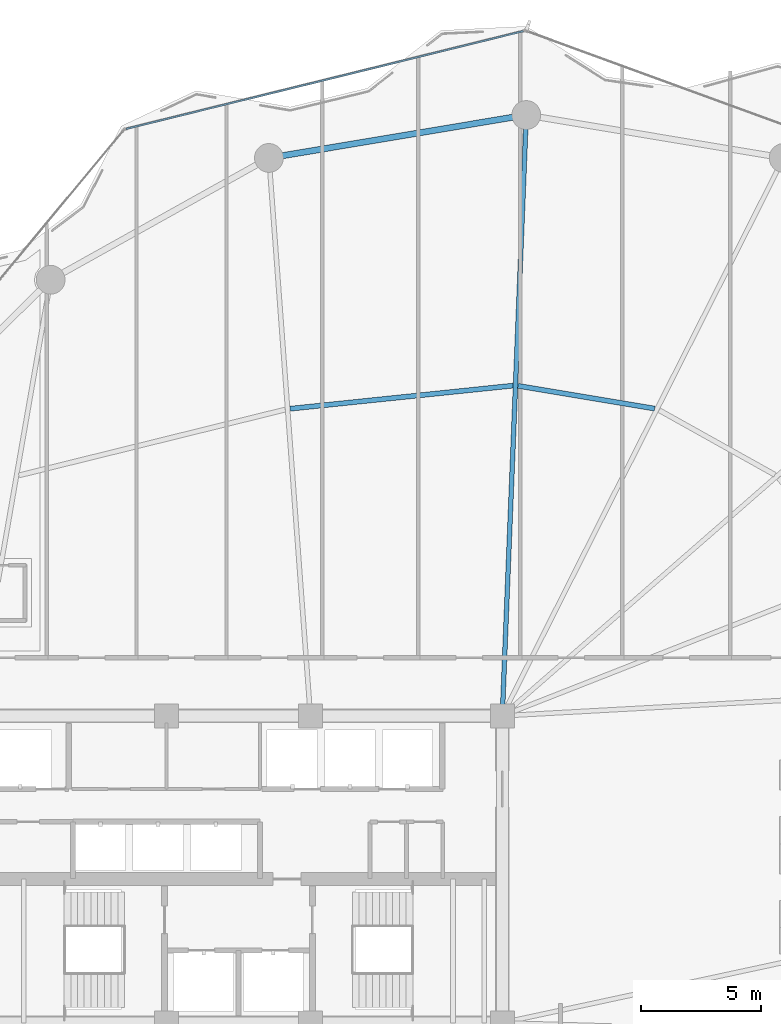
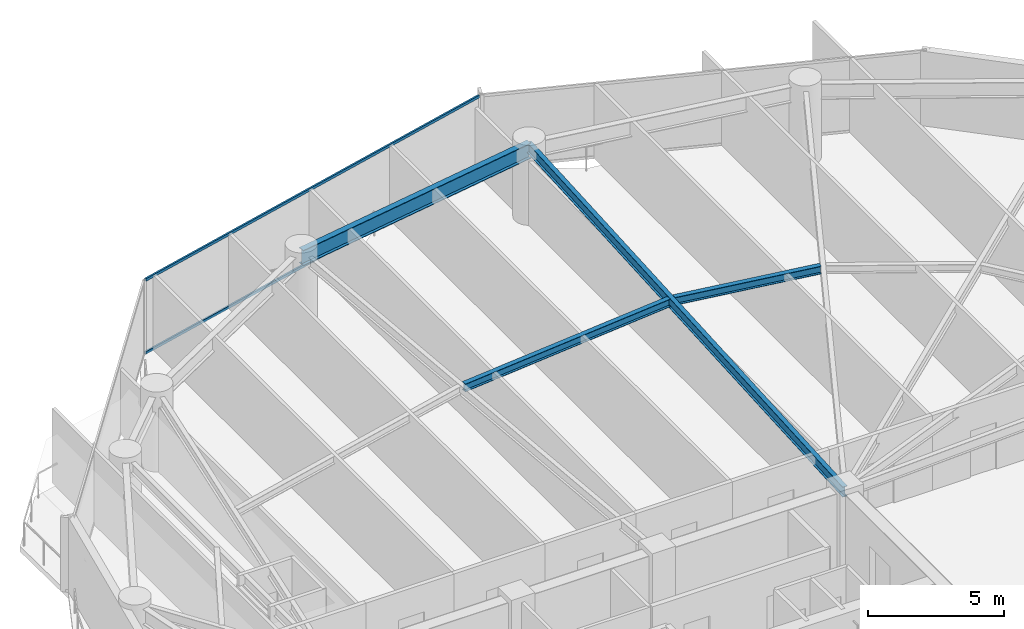
# One storey, part 18 of 28: 4 beams, 2 members, 1 element without a shape of its own.
"""IFC4 building model written with IfcOpenShell, lengths in metres."""

from ifc_helpers import new_model, si_unit, direction, frame, origin, origin_2d, place, context, subcontext, project, spatial, hollow_rectangle, i_section, extrude, material, layer, layer_set, material_profile, profile_set, type_object, element, aggregate, save


model = new_model("IFC4")

# Units and contexts
model_context = context("Model", 3, precision=1e-05, world=origin(), true_north=direction((0.0, 1.0)))
body_context = subcontext(model_context, "Body", "Model", "MODEL_VIEW")
ifc_project = project(units=[si_unit("LENGTHUNIT", "METRE"), si_unit("AREAUNIT", "SQUARE_METRE"), si_unit("VOLUMEUNIT", "CUBIC_METRE"), si_unit("PLANEANGLEUNIT", "RADIAN"), si_unit("MASSUNIT", "GRAM", prefix="KILO")], contexts=[model_context])

# Site, building, storey
site_placement = place(None, origin())
site = spatial("IfcSite", under=ifc_project, at=site_placement, CompositionType="ELEMENT")
building_placement = place(site_placement, origin())
building = spatial("IfcBuilding", under=site, at=building_placement, Name="Kazevale Care Tower and Concert Hall", CompositionType="ELEMENT")
storey_placement = place(building_placement, frame((0.0, 0.0, 120.60009765625)))
storey = spatial("IfcBuildingStorey", under=building, at=storey_placement, Name="L31", CompositionType="ELEMENT", Elevation=120.60009765625)

# Curtain wall, members
ifc_material_1 = material(Name="Aluminium 6063-T6 and Low-E Glass", Category="aluminium")
ifc_layer = layer(ifc_material_1, 0.179931640625)
ifc_layer_set = layer_set([ifc_layer], Name="Aluminium 6063-T6 and Low-E Glass")
curtain_wall_type = type_object("IfcCurtainWallType", Name="Convex Recessed Sunroom Curtain Wall CW-3", PredefinedType="NOTDEFINED", material=ifc_layer_set)
curtain_wall_placement = place(storey_placement, origin())
curtain_wall = element("IfcCurtainWall", 1, at=curtain_wall_placement, inside=storey, type_object=curtain_wall_type, Name="cw:L31:f15", PredefinedType="NOTDEFINED")
ifc_material_2 = material(Name="Aluminium 6063-T6", Category="aluminium")
ifc_material_profile_1 = material_profile(ifc_material_2, hollow_rectangle(XDim=0.074951171875, YDim=0.1201171875, WallThickness=0.00390625, at=origin_2d()), Name="ALU75x120x4")
ifc_profile_set_1 = profile_set([ifc_material_profile_1], Name="Aluminium 6063-T6")
member_type = type_object("IfcMemberType", Name="CW-3 Transom ALU75x120x4", PredefinedType="USERDEFINED", material=ifc_profile_set_1)
member_1_placement = place(storey_placement, frame((28.312744140625, 60.869873046875, 0.037353515625), z_axis=(0.970998321945, 0.239086299857, 0.0), x_axis=(-0.239086299857, 0.970998321945, 0.0)))
member_1 = element("IfcMember", 2, at=member_1_placement, type_object=member_type, Name="CW-3 transom 1.1", ObjectType="TRANSOM", PredefinedType="USERDEFINED", context=body_context, shape_type="SweptSolid", body=[
    extrude(hollow_rectangle(XDim=0.074951171875, YDim=0.1201171875, WallThickness=0.00390625, at=origin_2d()), origin(), (0.0, 0.0, 1.0), 17.061279296875),
])
member_2_placement = place(storey_placement, frame((28.312744140625, 60.869873046875, 3.322509765625), z_axis=(0.970998321945, 0.239086299857, 0.0), x_axis=(-0.239086299857, 0.970998321945, 0.0)))
member_2 = element("IfcMember", 3, at=member_2_placement, type_object=member_type, Name="CW-3 transom 1.2", ObjectType="TRANSOM", PredefinedType="USERDEFINED", context=body_context, shape_type="SweptSolid", body=[
    extrude(hollow_rectangle(XDim=0.074951171875, YDim=0.1201171875, WallThickness=0.00390625, at=origin_2d()), origin(), (0.0, 0.0, 1.0), 17.061279296875),
])
aggregate(curtain_wall, [member_1, member_2])

# Beams
ifc_material_3 = material(Name="Steel ASTM A572 Gr 50", Category="steel")
ifc_material_profile_2 = material_profile(ifc_material_3, i_section(OverallWidth=0.19091796875, OverallDepth=0.4599609375, WebThickness=0.010009765625, FlangeThickness=0.01611328125, at=origin_2d()), Name="W460x82")
ifc_profile_set_2 = profile_set([ifc_material_profile_2], Name="Steel ASTM A572 Gr 50")
beam_type_1 = type_object("IfcBeamType", Name="Radial Floor Beam W460x82", PredefinedType="BEAM", material=ifc_profile_set_2)
beam_1_placement = place(storey_placement, frame((44.0, 36.39990234375, 3.1298828125), z_axis=(0.039888311255, 0.99920414462, 0.0), x_axis=(-0.99920414462, 0.039888311255, 0.0)))
element("IfcBeam", 4, at=beam_1_placement, inside=storey, type_object=beam_type_1, Name="beam:L31:rad:05", PredefinedType="BEAM", context=body_context, shape_type="SweptSolid", body=[
    extrude(i_section(OverallWidth=0.19091796875, OverallDepth=0.4599609375, WebThickness=0.010009765625, FlangeThickness=0.01611328125, at=origin_2d()), origin(), (0.0, 0.0, 1.0), 25.070068359375),
])
ifc_material_profile_3 = material_profile(ifc_material_3, i_section(OverallWidth=0.205078125, OverallDepth=0.35400390625, WebThickness=0.009521484375, FlangeThickness=0.016845703125, at=origin_2d()), Name="W360x79")
ifc_profile_set_3 = profile_set([ifc_material_profile_3], Name="Steel ASTM A572 Gr 50")
beam_type_2 = type_object("IfcBeamType", Name="Secondary Floor Joist W360x79", PredefinedType="JOIST", material=ifc_profile_set_3)
beam_2_placement = place(storey_placement, frame((50.347900390625, 49.2099609375, 3.182861328125), z_axis=(-0.986366476547, 0.164563586324, 0.0), x_axis=(-0.164563586324, -0.986366476547, 0.0)))
element("IfcBeam", 5, at=beam_2_placement, inside=storey, type_object=beam_type_2, Name="beam:L31:joist:04", PredefinedType="JOIST", context=body_context, shape_type="SweptSolid", body=[
    extrude(i_section(OverallWidth=0.205078125, OverallDepth=0.35400390625, WebThickness=0.009521484375, FlangeThickness=0.016845703125, at=origin_2d()), origin(), (0.0, 0.0, 1.0), 5.7724609375),
])
beam_3_placement = place(storey_placement, frame((44.446044921875, 50.1669921875, 3.182861328125), z_axis=(-0.994674810104, -0.10306319491, 0.0), x_axis=(0.10306319491, -0.994674810104, 0.0)))
element("IfcBeam", 6, at=beam_3_placement, inside=storey, type_object=beam_type_2, Name="beam:L31:joist:05", PredefinedType="JOIST", context=body_context, shape_type="SweptSolid", body=[
    extrude(i_section(OverallWidth=0.205078125, OverallDepth=0.35400390625, WebThickness=0.009521484375, FlangeThickness=0.016845703125, at=origin_2d()), origin(), (0.0, 0.0, 1.0), 9.3427734375),
])
ifc_material_profile_4 = material_profile(ifc_material_3, i_section(OverallWidth=0.256103515625, OverallDepth=0.693115234375, WebThickness=0.014404296875, FlangeThickness=0.023681640625, at=origin_2d()), Name="W690x170")
ifc_profile_set_4 = profile_set([ifc_material_profile_4], Name="Steel ASTM A572 Gr 50")
beam_type_3 = type_object("IfcBeamType", Name="Waist Ring Beam W690x170", PredefinedType="BEAM", material=ifc_profile_set_4)
beam_4_placement = place(storey_placement, frame((45.0, 61.449951171875, 3.013427734375), z_axis=(-0.986368436187, -0.164551840139, 0.0), x_axis=(0.164551840139, -0.986368436187, 0.0)))
element("IfcBeam", 7, at=beam_4_placement, inside=storey, type_object=beam_type_3, Name="beam:L31:ring:05", PredefinedType="BEAM", context=body_context, shape_type="SweptSolid", body=[
    extrude(i_section(OverallWidth=0.256103515625, OverallDepth=0.693115234375, WebThickness=0.014404296875, FlangeThickness=0.023681640625, at=origin_2d()), origin(), (0.0, 0.0, 1.0), 10.878173828125),
])

save(model, "model.ifc")
